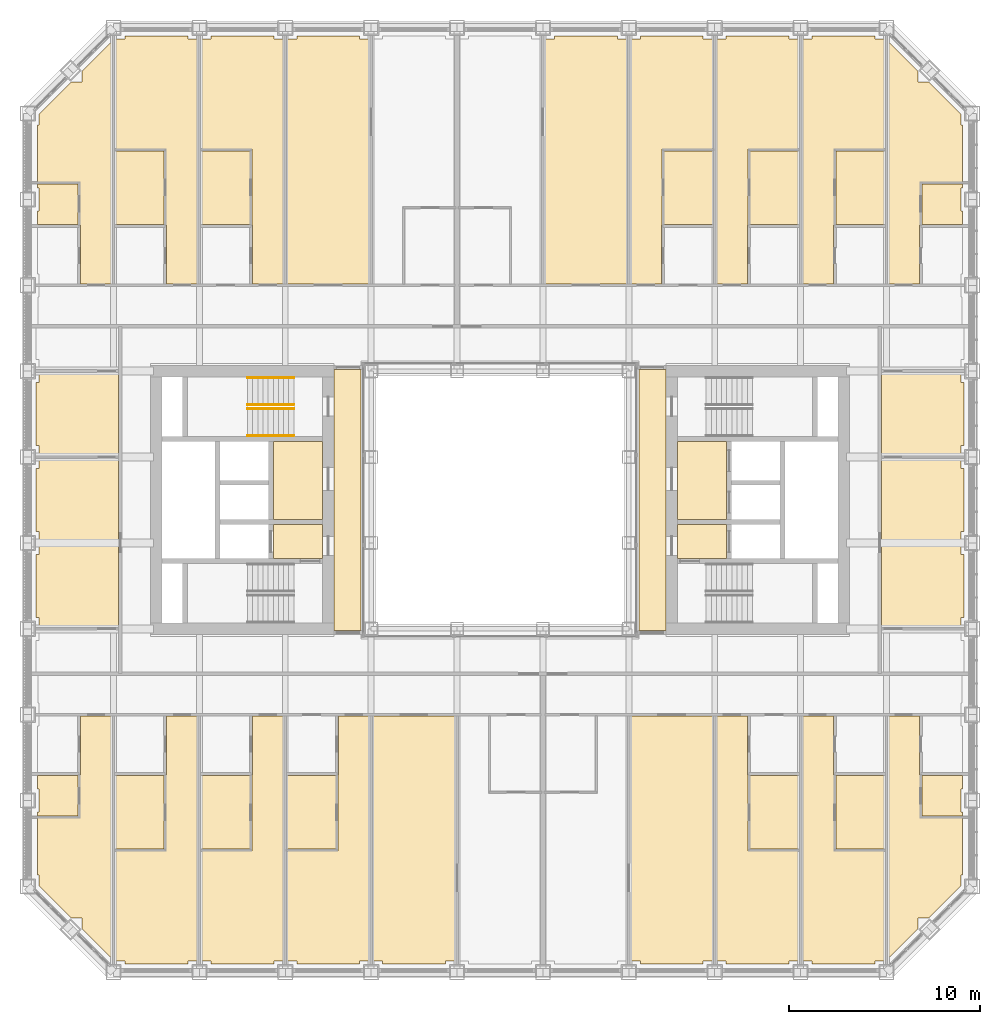
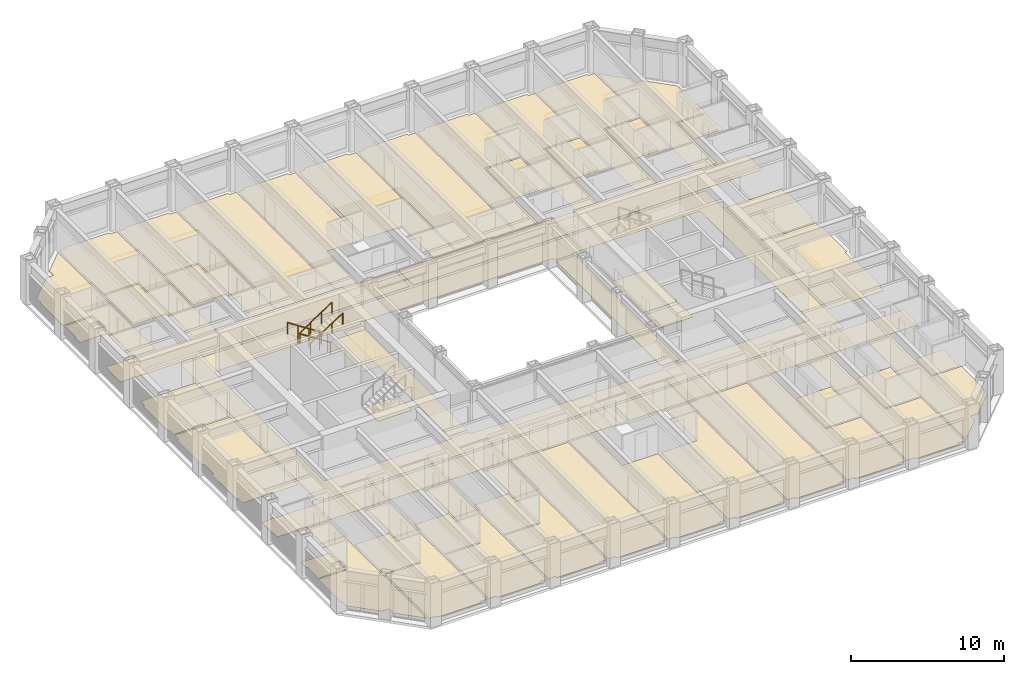
# One storey, part 18 of 21: 4 coverings, 4 railings.
"""IFC4 building model written with IfcOpenShell, lengths in metres."""

from ifc_helpers import new_model, si_unit, direction, frame, origin, origin_2d, place, context, subcontext, project, spatial, line, indexed_curve, circle, outline, extrude, material, layer, layer_set, type_object, element, save


model = new_model("IFC4")

# Units and contexts
model_context = context("Model", 3, precision=1e-05, world=origin(), true_north=direction((0.0, 1.0)))
body_context = subcontext(model_context, "Body", "Model", "MODEL_VIEW")
ifc_project = project(units=[si_unit("LENGTHUNIT", "METRE"), si_unit("AREAUNIT", "SQUARE_METRE"), si_unit("VOLUMEUNIT", "CUBIC_METRE"), si_unit("PLANEANGLEUNIT", "RADIAN"), si_unit("MASSUNIT", "GRAM", prefix="KILO")], contexts=[model_context])

# Site, building, storey
site_placement = place(None, origin())
site = spatial("IfcSite", under=ifc_project, at=site_placement, CompositionType="ELEMENT")
building_placement = place(site_placement, origin())
building = spatial("IfcBuilding", under=site, at=building_placement, Name="Msasa Ring Tower", CompositionType="ELEMENT")
storey_placement = place(building_placement, frame((0.0, 0.0, 82.5)))
storey = spatial("IfcBuildingStorey", under=building, at=storey_placement, Name="L21", CompositionType="ELEMENT", Elevation=82.5)

# Coverings
ifc_material_1 = material(Name="Mineral fibre ceiling tiles on an exposed steel grid", Category="steel")
ifc_layer_1 = layer(ifc_material_1, 0.02001953125)
ifc_layer_set_1 = layer_set([ifc_layer_1], Name="C3 ACOUSTIC MINERAL FIBRE TILE CEILING 20")
covering_type_1 = type_object("IfcCoveringType", Name="C3 ACOUSTIC MINERAL FIBRE TILE CEILING 20", PredefinedType="CEILING", material=ifc_layer_set_1)
covering_1_placement = place(storey_placement, frame((0.0, 0.0, 2.699951171875)))
element("IfcCovering", 1, at=covering_1_placement, inside=storey, type_object=covering_type_1, Name="Acoustic Mineral Fibre Tile Ceiling 20 L21", PredefinedType="CEILING", context=body_context, shape_type="SweptSolid", body=[
    extrude(outline(indexed_curve([(-11.87451171875, 3.074462890625), (-9.300537109375, 3.074462890625), (-9.300537109375, -1.0244140625), (-11.87451171875, -1.0244140625)], segments=[line(1, 2, 3, 4, 1)], self_intersect=False)), origin(), (0.0, 0.0, 1.0), 0.02001953125),
])
ifc_material_2 = material(Name="Honed granite tiles on a mortar bed", Category="masonry")
ifc_layer_2 = layer(ifc_material_2, 0.030029296875)
ifc_layer_set_2 = layer_set([ifc_layer_2], Name="F1 HONED GRANITE ON BEDDING 30")
covering_type_2 = type_object("IfcCoveringType", Name="F1 HONED GRANITE ON BEDDING 30", PredefinedType="FLOORING", material=ifc_layer_set_2)
covering_2_placement = place(storey_placement, origin())
element("IfcCovering", 2, at=covering_2_placement, inside=storey, type_object=covering_type_2, Name="Honed Granite On Bedding 30 L21", PredefinedType="FLOORING", context=body_context, shape_type="SweptSolid", body=[
    extrude(outline(indexed_curve([(-11.87451171875, -3.074462890625), (-11.87451171875, -1.275390625), (-9.300537109375, -1.275390625), (-9.300537109375, -3.074462890625)], segments=[line(1, 2, 3, 4, 1)], self_intersect=False)), origin(), (0.0, 0.0, 1.0), 0.030029296875),
    extrude(outline(indexed_curve([(-8.699462890625, -6.849609375), (-8.699462890625, 6.849609375), (-7.280029296875, 6.849609375), (-7.280029296875, -6.849609375)], segments=[line(1, 2, 3, 4, 1)], self_intersect=False)), origin(), (0.0, 0.0, 1.0), 0.030029296875),
    extrude(outline(indexed_curve([(8.699462890625, 6.849609375), (8.699462890625, -6.849609375), (7.280029296875, -6.849609375), (7.280029296875, 6.849609375)], segments=[line(1, 2, 3, 4, 1)], self_intersect=False)), origin(), (0.0, 0.0, 1.0), 0.030029296875),
    extrude(outline(indexed_curve([(9.300537109375, -3.074462890625), (9.300537109375, -1.275390625), (11.87451171875, -1.275390625), (11.87451171875, -3.074462890625)], segments=[line(1, 2, 3, 4, 1)], self_intersect=False)), origin(), (0.0, 0.0, 1.0), 0.030029296875),
    extrude(outline(indexed_curve([(9.300537109375, 3.074462890625), (11.87451171875, 3.074462890625), (11.87451171875, -1.0244140625), (9.300537109375, -1.0244140625)], segments=[line(1, 2, 3, 4, 1)], self_intersect=False)), origin(), (0.0, 0.0, 1.0), 0.030029296875),
])
ifc_material_3 = material(Name="Wool-blend carpet on felt underlay", Category="textile")
ifc_layer_3 = layer(ifc_material_3, 0.011962890625)
ifc_layer_set_3 = layer_set([ifc_layer_3], Name="F2 CARPET ON UNDERLAY 12")
covering_type_3 = type_object("IfcCoveringType", Name="F2 CARPET ON UNDERLAY 12", PredefinedType="FLOORING", material=ifc_layer_set_3)
covering_3_placement = place(storey_placement, origin())
element("IfcCovering", 3, at=covering_3_placement, inside=storey, type_object=covering_type_3, Name="Carpet On Underlay 12 L21", PredefinedType="FLOORING", context=body_context, shape_type="SweptSolid", body=[
    extrude(outline(indexed_curve([(-22.1005859375, -14.430419921875), (-22.1005859375, -16.568115234375), (-24.239501953125, -16.568115234375), (-24.239501953125, -16.3505859375), (-24.1494140625, -16.3505859375), (-24.1494140625, -15.1494140625), (-24.239501953125, -15.1494140625), (-24.239501953125, -14.430419921875)], segments=[line(1, 2, 3, 4, 5, 6, 7, 8, 1)], self_intersect=False)), origin(), (0.0, 0.0, 1.0), 0.011962890625),
    extrude(outline(indexed_curve([(-22.1005859375, 14.430419921875), (-24.239501953125, 14.430419921875), (-24.239501953125, 15.1494140625), (-24.1494140625, 15.1494140625), (-24.1494140625, 16.3505859375), (-24.239501953125, 16.3505859375), (-24.239501953125, 16.568115234375), (-22.1005859375, 16.568115234375)], segments=[line(1, 2, 3, 4, 5, 6, 7, 8, 1)], self_intersect=False)), origin(), (0.0, 0.0, 1.0), 0.011962890625),
    extrude(outline(indexed_curve([(-17.6005859375, -18.294921875), (-20.18701171875, -18.294921875), (-20.18701171875, -14.430419921875), (-17.6005859375, -14.430419921875)], segments=[line(1, 2, 3, 4, 1)], self_intersect=False)), origin(), (0.0, 0.0, 1.0), 0.011962890625),
    extrude(outline(indexed_curve([(-17.6005859375, 18.294921875), (-17.6005859375, 14.430419921875), (-20.18701171875, 14.430419921875), (-20.18701171875, 18.294921875)], segments=[line(1, 2, 3, 4, 1)], self_intersect=False)), origin(), (0.0, 0.0, 1.0), 0.011962890625),
    extrude(outline(indexed_curve([(19.799560546875, 8.99951171875), (19.799560546875, -8.99951171875), (-19.799560546875, -8.99951171875), (-19.799560546875, 8.99951171875)], segments=[line(1, 2, 3, 4, 1)], self_intersect=False), holes=[indexed_curve([(18.300537109375, -7.150390625), (18.300537109375, 7.150390625), (8.699462890625, 7.150390625), (8.699462890625, 7.050537109375), (7.280029296875, 7.050537109375), (7.275390625, 7.275390625), (7.22998046875, 7.280029296875), (-7.22998046875, 7.280029296875), (-7.275390625, 7.275390625), (-7.280029296875, 7.050537109375), (-8.699462890625, 7.050537109375), (-8.699462890625, 7.150390625), (-18.300537109375, 7.150390625), (-18.300537109375, -7.150390625), (-8.699462890625, -7.150390625), (-8.699462890625, -7.050537109375), (-7.280029296875, -7.050537109375), (-7.275390625, -7.275390625), (-7.22998046875, -7.280029296875), (7.22998046875, -7.280029296875), (7.275390625, -7.275390625), (7.280029296875, -7.050537109375), (8.699462890625, -7.050537109375), (8.699462890625, -7.150390625)], segments=[line(1, 2, 3, 4, 5, 6, 7, 8, 9, 10, 11, 12, 13, 14, 15, 16, 17, 18, 19, 20, 21, 22, 23, 24, 1)], self_intersect=False)]), origin(), (0.0, 0.0, 1.0), 0.011962890625),
    extrude(outline(indexed_curve([(-13.1005859375, -14.430419921875), (-13.1005859375, -18.297607421875), (-15.68701171875, -18.297607421875), (-15.68701171875, -14.430419921875)], segments=[line(1, 2, 3, 4, 1)], self_intersect=False)), origin(), (0.0, 0.0, 1.0), 0.011962890625),
    extrude(outline(indexed_curve([(-13.1005859375, 14.430419921875), (-15.68701171875, 14.430419921875), (-15.68701171875, 18.297607421875), (-13.1005859375, 18.297607421875)], segments=[line(1, 2, 3, 4, 1)], self_intersect=False)), origin(), (0.0, 0.0, 1.0), 0.011962890625),
    extrude(outline(indexed_curve([(-8.6005859375, -18.297607421875), (-11.18701171875, -18.297607421875), (-11.18701171875, -14.430419921875), (-8.6005859375, -14.430419921875)], segments=[line(1, 2, 3, 4, 1)], self_intersect=False)), origin(), (0.0, 0.0, 1.0), 0.011962890625),
    extrude(outline(indexed_curve([(-7.3505859375, 24.299560546875), (-7.3505859375, 24.1494140625), (-6.81298828125, 24.1494140625), (-6.81298828125, 11.31298828125), (-11.181884765625, 11.31298828125), (-11.181884765625, 24.1494140625), (-10.6494140625, 24.1494140625), (-10.6494140625, 24.299560546875)], segments=[line(1, 2, 3, 4, 5, 6, 7, 8, 1)], self_intersect=False)), origin(), (0.0, 0.0, 1.0), 0.011962890625),
    extrude(outline(indexed_curve([(-2.8505859375, 24.299560546875), (-2.8505859375, 24.1494140625), (-2.37548828125, 24.1494140625), (-2.37548828125, 15.363037109375), (-5.1005859375, 15.363037109375), (-5.1005859375, 11.31298828125), (-6.68701171875, 11.31298828125), (-6.68701171875, 24.1494140625), (-6.1494140625, 24.1494140625), (-6.1494140625, 24.299560546875)], segments=[line(1, 2, 3, 4, 5, 6, 7, 8, 9, 10, 1)], self_intersect=False)), origin(), (0.0, 0.0, 1.0), 0.011962890625),
    extrude(outline(indexed_curve([(-6.1494140625, -24.299560546875), (-6.1494140625, -24.1494140625), (-6.681884765625, -24.1494140625), (-6.681884765625, -11.31298828125), (-2.31298828125, -11.31298828125), (-2.31298828125, -24.1494140625), (-2.8505859375, -24.1494140625), (-2.8505859375, -24.299560546875)], segments=[line(1, 2, 3, 4, 5, 6, 7, 8, 1)], self_intersect=False)), origin(), (0.0, 0.0, 1.0), 0.011962890625),
    extrude(outline(indexed_curve([(-0.6005859375, -11.31298828125), (-0.6005859375, -15.363037109375), (2.12451171875, -15.363037109375), (2.12451171875, -24.1494140625), (1.6494140625, -24.1494140625), (1.6494140625, -24.299560546875), (-1.6494140625, -24.299560546875), (-1.6494140625, -24.1494140625), (-2.18701171875, -24.1494140625), (-2.18701171875, -11.31298828125)], segments=[line(1, 2, 3, 4, 5, 6, 7, 8, 9, 10, 1)], self_intersect=False)), origin(), (0.0, 0.0, 1.0), 0.011962890625),
    extrude(outline(indexed_curve([(0.6005859375, 11.31298828125), (0.6005859375, 15.363037109375), (-2.12451171875, 15.363037109375), (-2.12451171875, 24.1494140625), (-1.6494140625, 24.1494140625), (-1.6494140625, 24.299560546875), (1.6494140625, 24.299560546875), (1.6494140625, 24.1494140625), (2.18701171875, 24.1494140625), (2.18701171875, 11.31298828125)], segments=[line(1, 2, 3, 4, 5, 6, 7, 8, 9, 10, 1)], self_intersect=False)), origin(), (0.0, 0.0, 1.0), 0.011962890625),
    extrude(outline(indexed_curve([(6.1494140625, 24.299560546875), (6.1494140625, 24.1494140625), (6.681884765625, 24.1494140625), (6.681884765625, 11.31298828125), (2.31298828125, 11.31298828125), (2.31298828125, 24.1494140625), (2.8505859375, 24.1494140625), (2.8505859375, 24.299560546875)], segments=[line(1, 2, 3, 4, 5, 6, 7, 8, 1)], self_intersect=False)), origin(), (0.0, 0.0, 1.0), 0.011962890625),
    extrude(outline(indexed_curve([(2.8505859375, -24.299560546875), (2.8505859375, -24.1494140625), (2.37548828125, -24.1494140625), (2.37548828125, -15.363037109375), (5.1005859375, -15.363037109375), (5.1005859375, -11.31298828125), (6.68701171875, -11.31298828125), (6.68701171875, -24.1494140625), (6.1494140625, -24.1494140625), (6.1494140625, -24.299560546875)], segments=[line(1, 2, 3, 4, 5, 6, 7, 8, 9, 10, 1)], self_intersect=False)), origin(), (0.0, 0.0, 1.0), 0.011962890625),
    extrude(outline(indexed_curve([(7.3505859375, -24.299560546875), (7.3505859375, -24.1494140625), (6.81298828125, -24.1494140625), (6.81298828125, -11.31298828125), (11.181884765625, -11.31298828125), (11.181884765625, -24.1494140625), (10.6494140625, -24.1494140625), (10.6494140625, -24.299560546875)], segments=[line(1, 2, 3, 4, 5, 6, 7, 8, 1)], self_intersect=False)), origin(), (0.0, 0.0, 1.0), 0.011962890625),
    extrude(outline(indexed_curve([(8.6005859375, 14.430419921875), (8.6005859375, 18.297607421875), (11.18701171875, 18.297607421875), (11.18701171875, 14.430419921875)], segments=[line(1, 2, 3, 4, 1)], self_intersect=False)), origin(), (0.0, 0.0, 1.0), 0.011962890625),
    extrude(outline(indexed_curve([(15.68701171875, -14.430419921875), (15.68701171875, -18.297607421875), (13.1005859375, -18.297607421875), (13.1005859375, -14.430419921875)], segments=[line(1, 2, 3, 4, 1)], self_intersect=False)), origin(), (0.0, 0.0, 1.0), 0.011962890625),
    extrude(outline(indexed_curve([(15.68701171875, 18.297607421875), (15.68701171875, 14.430419921875), (13.1005859375, 14.430419921875), (13.1005859375, 18.297607421875)], segments=[line(1, 2, 3, 4, 1)], self_intersect=False)), origin(), (0.0, 0.0, 1.0), 0.011962890625),
    extrude(outline(indexed_curve([(17.6005859375, -18.294921875), (17.6005859375, -14.430419921875), (20.18701171875, -14.430419921875), (20.18701171875, -18.294921875)], segments=[line(1, 2, 3, 4, 1)], self_intersect=False)), origin(), (0.0, 0.0, 1.0), 0.011962890625),
    extrude(outline(indexed_curve([(17.6005859375, 14.430419921875), (17.6005859375, 18.294921875), (20.18701171875, 18.294921875), (20.18701171875, 14.430419921875)], segments=[line(1, 2, 3, 4, 1)], self_intersect=False)), origin(), (0.0, 0.0, 1.0), 0.011962890625),
    extrude(outline(indexed_curve([(24.239501953125, -15.1494140625), (24.1494140625, -15.1494140625), (24.1494140625, -16.3505859375), (24.239501953125, -16.3505859375), (24.239501953125, -16.568115234375), (22.1005859375, -16.568115234375), (22.1005859375, -14.430419921875), (24.239501953125, -14.430419921875)], segments=[line(1, 2, 3, 4, 5, 6, 7, 8, 1)], self_intersect=False)), origin(), (0.0, 0.0, 1.0), 0.011962890625),
    extrude(outline(indexed_curve([(24.239501953125, 16.568115234375), (24.239501953125, 16.3505859375), (24.1494140625, 16.3505859375), (24.1494140625, 15.1494140625), (24.239501953125, 15.1494140625), (24.239501953125, 14.430419921875), (22.1005859375, 14.430419921875), (22.1005859375, 16.568115234375)], segments=[line(1, 2, 3, 4, 5, 6, 7, 8, 1)], self_intersect=False)), origin(), (0.0, 0.0, 1.0), 0.011962890625),
])
ifc_material_4 = material(Name="Engineered oak boards on an acoustic underlay", Category="wood")
ifc_layer_4 = layer(ifc_material_4, 0.01806640625)
ifc_layer_set_4 = layer_set([ifc_layer_4], Name="F3 ENGINEERED TIMBER ON ACOUSTIC UNDERLAY 18")
covering_type_4 = type_object("IfcCoveringType", Name="F3 ENGINEERED TIMBER ON ACOUSTIC UNDERLAY 18", PredefinedType="FLOORING", material=ifc_layer_set_4)
covering_4_placement = place(storey_placement, origin())
element("IfcCovering", 4, at=covering_4_placement, inside=storey, type_object=covering_type_4, Name="Engineered Timber On Acoustic Underlay 18 L21", PredefinedType="FLOORING", context=body_context, shape_type="SweptSolid", body=[
    extrude(outline(indexed_curve([(-24.1494140625, -6.694580078125), (-24.1494140625, -6.1494140625), (-24.299560546875, -6.1494140625), (-24.299560546875, -2.8505859375), (-24.1494140625, -2.8505859375), (-24.1494140625, -1.6494140625), (-24.299560546875, -1.6494140625), (-24.299560546875, 1.6494140625), (-24.1494140625, 1.6494140625), (-24.1494140625, 2.194580078125), (-20.00048828125, 2.194580078125), (-20.00048828125, -6.694580078125)], segments=[line(1, 2, 3, 4, 5, 6, 7, 8, 9, 10, 11, 12, 1)], self_intersect=False)), origin(), (0.0, 0.0, 1.0), 0.01806640625),
    extrude(outline(indexed_curve([(-24.299560546875, 6.1494140625), (-24.1494140625, 6.1494140625), (-24.1494140625, 6.66943359375), (-20.00048828125, 6.66943359375), (-20.00048828125, 2.305419921875), (-24.1494140625, 2.305419921875), (-24.1494140625, 2.8505859375), (-24.299560546875, 2.8505859375)], segments=[line(1, 2, 3, 4, 5, 6, 7, 8, 1)], self_intersect=False)), origin(), (0.0, 0.0, 1.0), 0.01806640625),
    extrude(outline(indexed_curve([(-24.23193359375, -16.674072265625), (-21.99951171875, -16.674072265625), (-21.99951171875, -14.39990234375), (-21.974609375, -14.39990234375), (-21.974609375, -11.31298828125), (-20.318115234375, -11.31298828125), (-20.318115234375, -24.044921875), (-21.8994140625, -22.46337890625), (-21.8994140625, -21.8994140625), (-22.46337890625, -21.8994140625), (-24.1494140625, -20.21337890625), (-24.1494140625, -19.6494140625), (-24.23193359375, -19.6494140625)], segments=[line(1, 2, 3, 4, 5, 6, 7, 8, 9, 10, 11, 12, 13, 1)], self_intersect=False)), origin(), (0.0, 0.0, 1.0), 0.01806640625),
    extrude(outline(indexed_curve([(-22.46337890625, 21.8994140625), (-21.8994140625, 21.8994140625), (-21.8994140625, 22.46337890625), (-20.318115234375, 24.044921875), (-20.318115234375, 11.31298828125), (-21.974609375, 11.31298828125), (-21.974609375, 14.39990234375), (-21.99951171875, 14.39990234375), (-21.99951171875, 16.674072265625), (-24.23193359375, 16.674072265625), (-24.23193359375, 19.6494140625), (-24.1494140625, 19.6494140625), (-24.1494140625, 20.21337890625)], segments=[line(1, 2, 3, 4, 5, 6, 7, 8, 9, 10, 11, 12, 13, 1)], self_intersect=False)), origin(), (0.0, 0.0, 1.0), 0.01806640625),
    extrude(outline(indexed_curve([(-24.1494140625, -11.18701171875), (-24.1494140625, -10.6494140625), (-24.199462890625, -10.6494140625), (-24.199462890625, -9.200439453125), (2.12451171875, -9.200439453125), (2.12451171875, -11.18701171875)], segments=[line(1, 2, 3, 4, 5, 6, 1)], self_intersect=False)), origin(), (0.0, 0.0, 1.0), 0.01806640625),
    extrude(outline(indexed_curve([(-24.199462890625, 9.200439453125), (-24.199462890625, 10.6494140625), (-24.1494140625, 10.6494140625), (-24.1494140625, 11.18701171875), (-2.37548828125, 11.18701171875), (-2.37548828125, 9.200439453125)], segments=[line(1, 2, 3, 4, 5, 6, 1)], self_intersect=False)), origin(), (0.0, 0.0, 1.0), 0.01806640625),
    extrude(outline(indexed_curve([(-15.818115234375, -11.31298828125), (-15.818115234375, -24.1494140625), (-16.3505859375, -24.1494140625), (-16.3505859375, -24.299560546875), (-19.6494140625, -24.299560546875), (-19.6494140625, -24.1494140625), (-20.181884765625, -24.1494140625), (-20.181884765625, -18.40087890625), (-17.49951171875, -18.40087890625), (-17.49951171875, -14.39990234375), (-17.474609375, -14.39990234375), (-17.474609375, -11.31298828125)], segments=[line(1, 2, 3, 4, 5, 6, 7, 8, 9, 10, 11, 12, 1)], self_intersect=False)), origin(), (0.0, 0.0, 1.0), 0.01806640625),
    extrude(outline(indexed_curve([(-15.818115234375, 11.31298828125), (-17.474609375, 11.31298828125), (-17.474609375, 14.39990234375), (-17.49951171875, 14.39990234375), (-17.49951171875, 18.40087890625), (-20.181884765625, 18.40087890625), (-20.181884765625, 24.1494140625), (-19.6494140625, 24.1494140625), (-19.6494140625, 24.299560546875), (-16.3505859375, 24.299560546875), (-16.3505859375, 24.1494140625), (-15.818115234375, 24.1494140625)], segments=[line(1, 2, 3, 4, 5, 6, 7, 8, 9, 10, 11, 12, 1)], self_intersect=False)), origin(), (0.0, 0.0, 1.0), 0.01806640625),
    extrude(outline(indexed_curve([(-11.318115234375, -24.1494140625), (-11.8505859375, -24.1494140625), (-11.8505859375, -24.299560546875), (-15.1494140625, -24.299560546875), (-15.1494140625, -24.1494140625), (-15.681884765625, -24.1494140625), (-15.681884765625, -18.403564453125), (-12.99951171875, -18.403564453125), (-12.99951171875, -14.39990234375), (-12.974609375, -14.39990234375), (-12.974609375, -11.31298828125), (-11.318115234375, -11.31298828125)], segments=[line(1, 2, 3, 4, 5, 6, 7, 8, 9, 10, 11, 12, 1)], self_intersect=False)), origin(), (0.0, 0.0, 1.0), 0.01806640625),
    extrude(outline(indexed_curve([(-12.974609375, 11.31298828125), (-12.974609375, 14.39990234375), (-12.99951171875, 14.39990234375), (-12.99951171875, 18.403564453125), (-15.681884765625, 18.403564453125), (-15.681884765625, 24.1494140625), (-15.1494140625, 24.1494140625), (-15.1494140625, 24.299560546875), (-11.8505859375, 24.299560546875), (-11.8505859375, 24.1494140625), (-11.318115234375, 24.1494140625), (-11.318115234375, 11.31298828125)], segments=[line(1, 2, 3, 4, 5, 6, 7, 8, 9, 10, 11, 12, 1)], self_intersect=False)), origin(), (0.0, 0.0, 1.0), 0.01806640625),
    extrude(outline(indexed_curve([(-6.818115234375, -24.1494140625), (-7.3505859375, -24.1494140625), (-7.3505859375, -24.299560546875), (-10.6494140625, -24.299560546875), (-10.6494140625, -24.1494140625), (-11.181884765625, -24.1494140625), (-11.181884765625, -18.403564453125), (-8.49951171875, -18.403564453125), (-8.49951171875, -14.39990234375), (-8.474609375, -14.39990234375), (-8.474609375, -11.31298828125), (-6.818115234375, -11.31298828125)], segments=[line(1, 2, 3, 4, 5, 6, 7, 8, 9, 10, 11, 12, 1)], self_intersect=False)), origin(), (0.0, 0.0, 1.0), 0.01806640625),
    extrude(outline(indexed_curve([(24.199462890625, 9.200439453125), (-2.12451171875, 9.200439453125), (-2.12451171875, 11.18701171875), (24.1494140625, 11.18701171875), (24.1494140625, 10.6494140625), (24.199462890625, 10.6494140625)], segments=[line(1, 2, 3, 4, 5, 6, 1)], self_intersect=False)), origin(), (0.0, 0.0, 1.0), 0.01806640625),
    extrude(outline(indexed_curve([(24.199462890625, -10.6494140625), (24.1494140625, -10.6494140625), (24.1494140625, -11.18701171875), (2.37548828125, -11.18701171875), (2.37548828125, -9.200439453125), (24.199462890625, -9.200439453125)], segments=[line(1, 2, 3, 4, 5, 6, 1)], self_intersect=False)), origin(), (0.0, 0.0, 1.0), 0.01806640625),
    extrude(outline(indexed_curve([(6.818115234375, 24.1494140625), (7.3505859375, 24.1494140625), (7.3505859375, 24.299560546875), (10.6494140625, 24.299560546875), (10.6494140625, 24.1494140625), (11.181884765625, 24.1494140625), (11.181884765625, 18.403564453125), (8.49951171875, 18.403564453125), (8.49951171875, 14.39990234375), (8.474609375, 14.39990234375), (8.474609375, 11.31298828125), (6.818115234375, 11.31298828125)], segments=[line(1, 2, 3, 4, 5, 6, 7, 8, 9, 10, 11, 12, 1)], self_intersect=False)), origin(), (0.0, 0.0, 1.0), 0.01806640625),
    extrude(outline(indexed_curve([(11.318115234375, -11.31298828125), (12.974609375, -11.31298828125), (12.974609375, -14.39990234375), (12.99951171875, -14.39990234375), (12.99951171875, -18.403564453125), (15.681884765625, -18.403564453125), (15.681884765625, -24.1494140625), (15.1494140625, -24.1494140625), (15.1494140625, -24.299560546875), (11.8505859375, -24.299560546875), (11.8505859375, -24.1494140625), (11.318115234375, -24.1494140625)], segments=[line(1, 2, 3, 4, 5, 6, 7, 8, 9, 10, 11, 12, 1)], self_intersect=False)), origin(), (0.0, 0.0, 1.0), 0.01806640625),
    extrude(outline(indexed_curve([(15.1494140625, 24.299560546875), (15.1494140625, 24.1494140625), (15.681884765625, 24.1494140625), (15.681884765625, 18.403564453125), (12.99951171875, 18.403564453125), (12.99951171875, 14.39990234375), (12.974609375, 14.39990234375), (12.974609375, 11.31298828125), (11.318115234375, 11.31298828125), (11.318115234375, 24.1494140625), (11.8505859375, 24.1494140625), (11.8505859375, 24.299560546875)], segments=[line(1, 2, 3, 4, 5, 6, 7, 8, 9, 10, 11, 12, 1)], self_intersect=False)), origin(), (0.0, 0.0, 1.0), 0.01806640625),
    extrude(outline(indexed_curve([(16.3505859375, -24.299560546875), (16.3505859375, -24.1494140625), (15.818115234375, -24.1494140625), (15.818115234375, -11.31298828125), (17.474609375, -11.31298828125), (17.474609375, -14.39990234375), (17.49951171875, -14.39990234375), (17.49951171875, -18.40087890625), (20.181884765625, -18.40087890625), (20.181884765625, -24.1494140625), (19.6494140625, -24.1494140625), (19.6494140625, -24.299560546875)], segments=[line(1, 2, 3, 4, 5, 6, 7, 8, 9, 10, 11, 12, 1)], self_intersect=False)), origin(), (0.0, 0.0, 1.0), 0.01806640625),
    extrude(outline(indexed_curve([(15.818115234375, 24.1494140625), (16.3505859375, 24.1494140625), (16.3505859375, 24.299560546875), (19.6494140625, 24.299560546875), (19.6494140625, 24.1494140625), (20.181884765625, 24.1494140625), (20.181884765625, 18.40087890625), (17.49951171875, 18.40087890625), (17.49951171875, 14.39990234375), (17.474609375, 14.39990234375), (17.474609375, 11.31298828125), (15.818115234375, 11.31298828125)], segments=[line(1, 2, 3, 4, 5, 6, 7, 8, 9, 10, 11, 12, 1)], self_intersect=False)), origin(), (0.0, 0.0, 1.0), 0.01806640625),
    extrude(outline(indexed_curve([(24.1494140625, 2.194580078125), (24.1494140625, 1.6494140625), (24.299560546875, 1.6494140625), (24.299560546875, -1.6494140625), (24.1494140625, -1.6494140625), (24.1494140625, -2.8505859375), (24.299560546875, -2.8505859375), (24.299560546875, -6.1494140625), (24.1494140625, -6.1494140625), (24.1494140625, -6.694580078125), (20.00048828125, -6.694580078125), (20.00048828125, 2.194580078125)], segments=[line(1, 2, 3, 4, 5, 6, 7, 8, 9, 10, 11, 12, 1)], self_intersect=False)), origin(), (0.0, 0.0, 1.0), 0.01806640625),
    extrude(outline(indexed_curve([(20.00048828125, 6.66943359375), (24.1494140625, 6.66943359375), (24.1494140625, 6.1494140625), (24.299560546875, 6.1494140625), (24.299560546875, 2.8505859375), (24.1494140625, 2.8505859375), (24.1494140625, 2.305419921875), (20.00048828125, 2.305419921875)], segments=[line(1, 2, 3, 4, 5, 6, 7, 8, 1)], self_intersect=False)), origin(), (0.0, 0.0, 1.0), 0.01806640625),
    extrude(outline(indexed_curve([(22.46337890625, -21.8994140625), (21.8994140625, -21.8994140625), (21.8994140625, -22.46337890625), (20.318115234375, -24.044921875), (20.318115234375, -11.31298828125), (21.974609375, -11.31298828125), (21.974609375, -14.39990234375), (21.99951171875, -14.39990234375), (21.99951171875, -16.674072265625), (24.23193359375, -16.674072265625), (24.23193359375, -19.6494140625), (24.1494140625, -19.6494140625), (24.1494140625, -20.21337890625)], segments=[line(1, 2, 3, 4, 5, 6, 7, 8, 9, 10, 11, 12, 13, 1)], self_intersect=False)), origin(), (0.0, 0.0, 1.0), 0.01806640625),
    extrude(outline(indexed_curve([(24.23193359375, 16.674072265625), (21.99951171875, 16.674072265625), (21.99951171875, 14.39990234375), (21.974609375, 14.39990234375), (21.974609375, 11.31298828125), (20.318115234375, 11.31298828125), (20.318115234375, 24.044921875), (21.8994140625, 22.46337890625), (21.8994140625, 21.8994140625), (22.46337890625, 21.8994140625), (24.1494140625, 20.21337890625), (24.1494140625, 19.6494140625), (24.23193359375, 19.6494140625)], segments=[line(1, 2, 3, 4, 5, 6, 7, 8, 9, 10, 11, 12, 13, 1)], self_intersect=False)), origin(), (0.0, 0.0, 1.0), 0.01806640625),
])

# Railings
ifc_material_5 = material(Name="Stainless steel", Category="steel")
railing_type = type_object("IfcRailingType", Name="HR1 HANDRAIL 900", PredefinedType="HANDRAIL", material=ifc_material_5)
for number, where, name in (
    (5, (-10.800048828125, 5.0, 0.175048828125), "Handrail stair SWB L21 1"),
    (6, (-10.800048828125, 6.39990234375, 0.175048828125), "Handrail stair SWB L21 2"),
):
    element("IfcRailing", number, at=place(storey_placement, frame(where)), inside=storey, type_object=railing_type, Name=name, PredefinedType="HANDRAIL", context=body_context, shape_type="SweptSolid", body=[
        extrude(circle(Radius=0.02392578125, at=origin_2d()), frame((0.0, 0.0, 0.8759765625), z_axis=(-0.839153699163, 0.0, 0.543894354798), x_axis=(0.0, -1.0, 0.0)), (0.0, 0.0, 1.0), 2.895751953125),
        extrude(circle(Radius=0.02099609375, at=origin_2d()), origin(), (0.0, 0.0, 1.0), 0.851806640625),
        extrude(circle(Radius=0.02099609375, at=origin_2d()), frame((-0.81005859375, 0.0, 0.52490234375)), (0.0, 0.0, 1.0), 0.851806640625),
        extrude(circle(Radius=0.02099609375, at=origin_2d()), frame((-1.619873046875, 0.0, 1.050048828125)), (0.0, 0.0, 1.0), 0.851806640625),
        extrude(circle(Radius=0.02099609375, at=origin_2d()), frame((-2.429931640625, 0.0, 1.574951171875)), (0.0, 0.0, 1.0), 0.851806640625),
    ])
for number, where, name in (
    (7, (-13.22998046875, 3.375, 1.925048828125), "Handrail stair SWB L21 3"),
    (8, (-13.22998046875, 4.77490234375, 1.925048828125), "Handrail stair SWB L21 4"),
):
    element("IfcRailing", number, at=place(storey_placement, frame(where)), inside=storey, type_object=railing_type, Name=name, PredefinedType="HANDRAIL", context=body_context, shape_type="SweptSolid", body=[
        extrude(circle(Radius=0.02392578125, at=origin_2d()), frame((0.0, 0.0, 0.8759765625), z_axis=(0.839153699163, 0.0, 0.543894354798), x_axis=(0.0, 1.0, 0.0)), (0.0, 0.0, 1.0), 2.895751953125),
        extrude(circle(Radius=0.02099609375, at=origin_2d()), origin(), (0.0, 0.0, 1.0), 0.851806640625),
        extrude(circle(Radius=0.02099609375, at=origin_2d()), frame((0.81005859375, 0.0, 0.52490234375)), (0.0, 0.0, 1.0), 0.851806640625),
        extrude(circle(Radius=0.02099609375, at=origin_2d()), frame((1.619873046875, 0.0, 1.050048828125)), (0.0, 0.0, 1.0), 0.851806640625),
        extrude(circle(Radius=0.02099609375, at=origin_2d()), frame((2.429931640625, 0.0, 1.574951171875)), (0.0, 0.0, 1.0), 0.851806640625),
    ])

save(model, "model.ifc")
